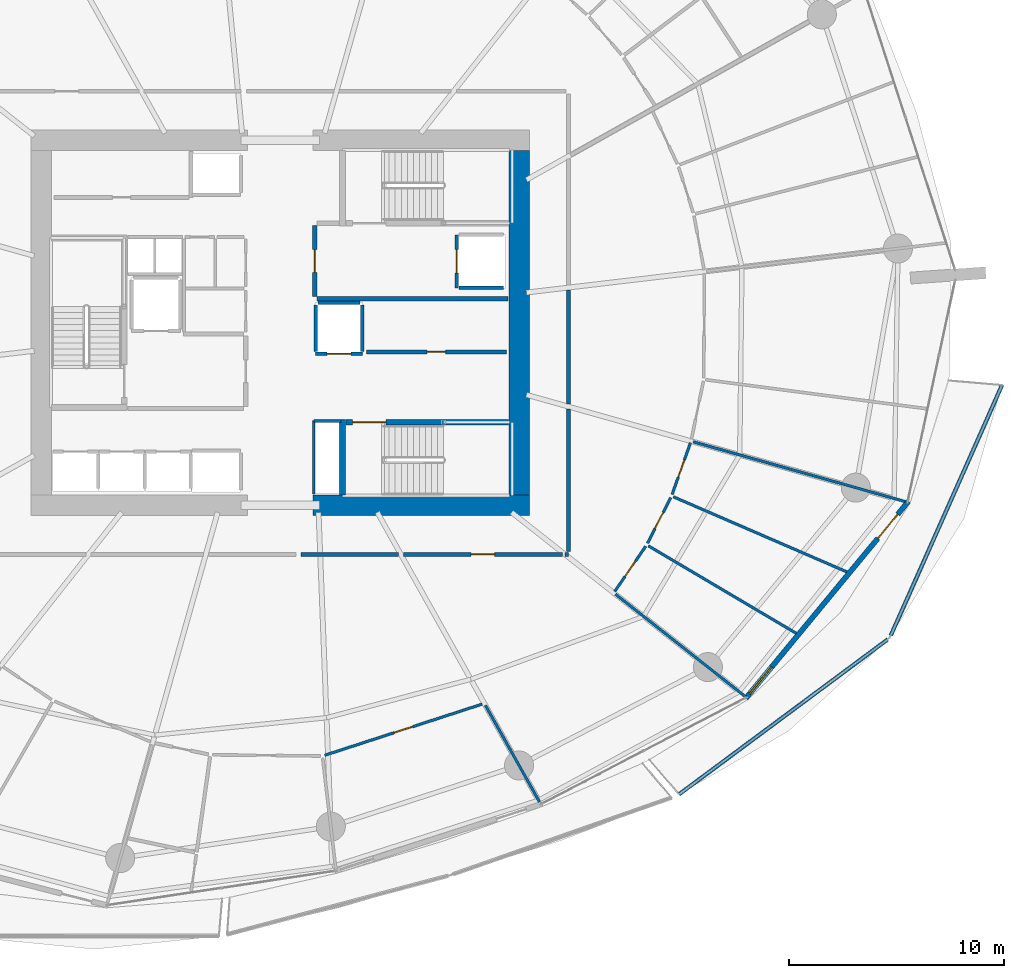
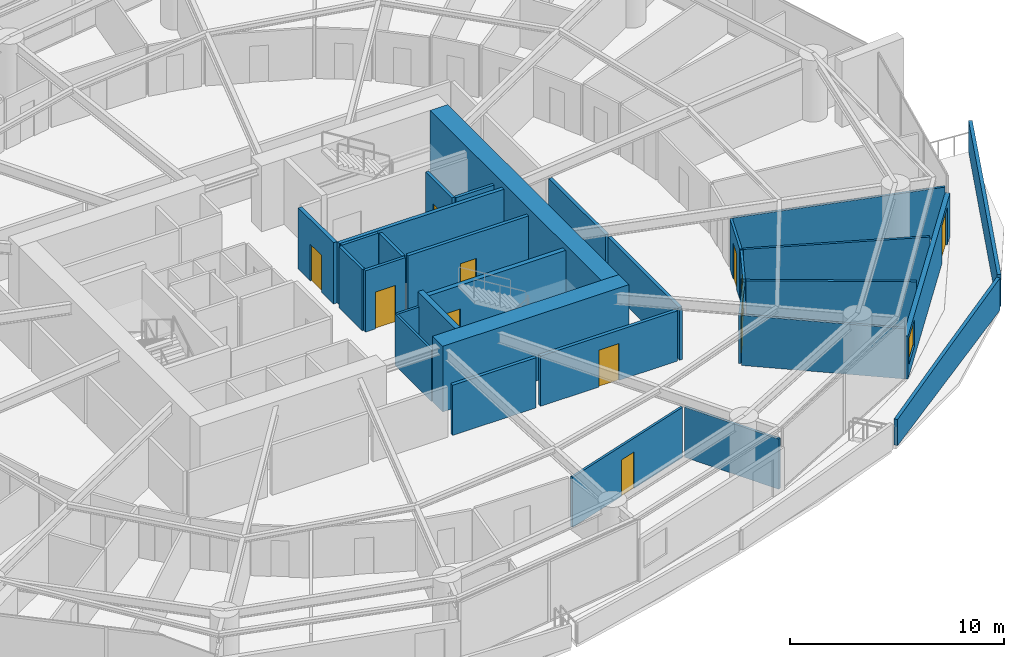
# One storey, part 21 of 31: 32 walls, 11 doors, 1 window, 12 openings.
"""IFC4 building model written with IfcOpenShell, lengths in metres."""

import ifcopenshell
import ifcopenshell.guid

model = None  # the IFC model being written
_history = None  # IfcOwnerHistory: only IFC2X3 demands one
_inside = {}  # id of a spatial element -> (the spatial element, [elements in it])
_under = {}  # id of a project, library or spatial element -> (it, [spatial elements below it])
_declared = {}  # id of a project -> (the project, [libraries it declares])
_typed = {}  # id of a type object -> (the type object, [elements of that type])
_made_of = {}  # id of a material, layer set ... -> (it, [elements and type objects made of it])


def new_model(schema):
    """Start an empty IFC model of exactly this schema.

    Asked for "IFC4X3", IfcOpenShell would pick the latest addendum, in which some entities
    have other attributes; the version numbers below select the first issue.
    IFC2X3 requires an IfcOwnerHistory on every rooted entity: one is made here for all.
    """
    global model, _history
    if schema == "IFC4X3":
        model = ifcopenshell.file(schema_version=(4, 3, 0, 0))
    else:
        model = ifcopenshell.file(schema=schema)
    _inside.clear()
    _under.clear()
    _declared.clear()
    _typed.clear()
    _made_of.clear()
    _history = None
    if model.schema == "IFC2X3":
        org = make("IfcOrganization", Name="unknown")
        user = make(
            "IfcPersonAndOrganization",
            ThePerson=make("IfcPerson", FamilyName="unknown"),
            TheOrganization=org,
        )
        app = make(
            "IfcApplication",
            ApplicationDeveloper=org,
            Version="unknown",
            ApplicationFullName="unknown",
            ApplicationIdentifier="unknown",
        )
        _history = make(
            "IfcOwnerHistory",
            OwningUser=user,
            OwningApplication=app,
            ChangeAction="ADDED",
            CreationDate=0,
        )
    return model


def make(cls, **values):
    """One entity of the class cls with the attributes given. An attribute that is None is left unset."""
    return model.create_entity(
        cls, **{name: value for name, value in values.items() if value is not None}
    )


def rooted(cls, **values):
    """An entity with a GlobalId (a new one), such as an element, a storey or a relation."""
    return make(cls, GlobalId=ifcopenshell.guid.new(), OwnerHistory=_history, **values)


def si_unit(unit_type, name, prefix=None):
    """IfcSIUnit, for example si_unit("LENGTHUNIT", "METRE", prefix="MILLI")."""
    return make("IfcSIUnit", UnitType=unit_type, Prefix=prefix, Name=name)


def assignment(units):
    """IfcUnitAssignment: the units of a project."""
    return None if units is None else make("IfcUnitAssignment", Units=units)


def point(xyz):
    """IfcCartesianPoint."""
    return None if xyz is None else make("IfcCartesianPoint", Coordinates=xyz)


def direction(xyz):
    """IfcDirection."""
    return None if xyz is None else make("IfcDirection", DirectionRatios=xyz)


def frame(location, z_axis=None, x_axis=None):
    """IfcAxis2Placement3D, a coordinate frame: its origin and axes. An axis left out is left unset."""
    return make(
        "IfcAxis2Placement3D",
        Location=point(location),
        Axis=direction(z_axis),
        RefDirection=direction(x_axis),
    )


def frame_2d(location, x_axis=None):
    """IfcAxis2Placement2D, a coordinate frame in the plane: its origin and x axis."""
    return make(
        "IfcAxis2Placement2D", Location=point(location), RefDirection=direction(x_axis)
    )


def origin():
    """The frame at (0, 0, 0) with its axes left unset."""
    return frame((0.0, 0.0, 0.0))


def place(relative_to, where):
    """IfcLocalPlacement: puts the frame where relative to a parent placement (None: the world)."""
    return make(
        "IfcLocalPlacement", PlacementRelTo=relative_to, RelativePlacement=where
    )


def context(
    kind, dimensions, precision=None, world=None, true_north=None, identifier=None
):
    """IfcGeometricRepresentationContext, for example the 3D "Model" context."""
    return make(
        "IfcGeometricRepresentationContext",
        ContextIdentifier=identifier,
        ContextType=kind,
        CoordinateSpaceDimension=dimensions,
        Precision=precision,
        WorldCoordinateSystem=world,
        TrueNorth=true_north,
    )


def subcontext(parent, identifier, kind, view, scale=None):
    """IfcGeometricRepresentationSubContext, for example "Body" below "Model"."""
    return make(
        "IfcGeometricRepresentationSubContext",
        ContextIdentifier=identifier,
        ContextType=kind,
        ParentContext=parent,
        TargetScale=scale,
        TargetView=view,
    )


def project(units=None, contexts=None):
    """IfcProject with its units and contexts."""
    return rooted(
        "IfcProject",
        Name="project",
        RepresentationContexts=contexts,
        UnitsInContext=assignment(units),
    )


def spatial(cls, under=None, at=None, **own):
    """A site, building, storey or space (cls), placed at a placement, below another one or the project."""
    s = rooted(cls, ObjectPlacement=at, **own)
    if under is not None:
        _under.setdefault(under.id(), (under, []))[1].append(s)
    return s


def polyline(points):
    """IfcPolyline through the points."""
    return make("IfcPolyline", Points=[point(p) for p in points])


def profile(cls, at=None, kind="AREA", **sizes):
    """A parametric profile (cls). Its sizes go by their IFC names, for example OverallWidth=200.0."""
    return make(cls, ProfileType=kind, Position=at, **sizes)


def rectangle(**sizes):
    """IfcRectangleProfileDef."""
    return profile("IfcRectangleProfileDef", **sizes)


def outline(outer, holes=None, kind="AREA"):
    """IfcArbitraryClosedProfileDef: a profile drawn as a closed curve; with holes, ...WithVoids."""
    if holes is None:
        return make("IfcArbitraryClosedProfileDef", ProfileType=kind, OuterCurve=outer)
    return make(
        "IfcArbitraryProfileDefWithVoids",
        ProfileType=kind,
        OuterCurve=outer,
        InnerCurves=holes,
    )


def extrude(swept, where, along, depth):
    """IfcExtrudedAreaSolid: the profile swept, set in the frame where, extruded along a direction by depth."""
    return make(
        "IfcExtrudedAreaSolid",
        SweptArea=swept,
        Position=where,
        ExtrudedDirection=direction(along),
        Depth=depth,
    )


def shape(context_of_items, identifier, shape_type, items):
    """IfcShapeRepresentation: the items that make up one representation, for example the "Body"."""
    return make(
        "IfcShapeRepresentation",
        ContextOfItems=context_of_items,
        RepresentationIdentifier=identifier,
        RepresentationType=shape_type,
        Items=items,
    )


def material(Name=None, Category=None):
    """IfcMaterial."""
    return make("IfcMaterial", Name=Name, Category=Category)


def layer(
    of_material, thickness, ventilated=None, Name=None, Category=None, Priority=None
):
    """IfcMaterialLayer: one layer of a wall or slab, of a material (None: an air gap)."""
    return make(
        "IfcMaterialLayer",
        Material=of_material,
        LayerThickness=thickness,
        IsVentilated=ventilated,
        Name=Name,
        Category=Category,
        Priority=Priority,
    )


def layer_set(layers, Name=None):
    """IfcMaterialLayerSet."""
    return make("IfcMaterialLayerSet", MaterialLayers=layers, LayerSetName=Name)


def made_of(thing, what):
    """Note that an element or type object is made of a material, layer set ...; save() writes the relation."""
    if what is not None:
        _made_of.setdefault(what.id(), (what, []))[1].append(thing)
    return thing


def type_object(cls, material=None, **own):
    """A type object (cls), such as IfcWallType, which elements share."""
    return made_of(rooted(cls, **own), material)


def element(
    cls,
    number,
    at=None,
    inside=None,
    cuts=None,
    type_object=None,
    material=None,
    context=None,
    identifier="Body",
    shape_type=None,
    held_by="IfcProductDefinitionShape",
    body=None,
    shapes=None,
    **own,
):
    """One element of the class cls, such as IfcWall. Its Tag is "e" and its number.

    at: its placement. inside: the storey or other place that contains it. cuts: it is an
    opening in that element (IfcRelVoidsElement). A single representation is given by context,
    identifier, shape_type and body (its items); several are given by shapes. held_by: the class
    of the entity that holds the representations. save() writes the other relations.
    """
    e = rooted(cls, Tag="e%d" % number, ObjectPlacement=at, **own)
    if body is not None:
        shapes = [shape(context, identifier, shape_type, body)]
    if shapes is not None:
        e.Representation = make(held_by, Representations=shapes)
    if inside is not None:
        _inside.setdefault(inside.id(), (inside, []))[1].append(e)
    if cuts is not None:
        rooted(
            "IfcRelVoidsElement", RelatingBuildingElement=cuts, RelatedOpeningElement=e
        )
    if type_object is not None:
        _typed.setdefault(type_object.id(), (type_object, []))[1].append(e)
    return made_of(e, material)


def fill(opening, filler):
    """IfcRelFillsElement: the door or window that sits in an opening."""
    return rooted(
        "IfcRelFillsElement",
        RelatingOpeningElement=opening,
        RelatedBuildingElement=filler,
    )


def aggregate(whole, parts):
    """IfcRelAggregates: a whole, such as a stair, and the parts it consists of."""
    return rooted("IfcRelAggregates", RelatingObject=whole, RelatedObjects=parts)


def save(model, path):
    """Write the relations noted so far, then the file.

    IfcRelAggregates (storeys below a building ...), IfcRelContainedInSpatialStructure (elements
    in a storey), IfcRelDefinesByType, IfcRelAssociatesMaterial and IfcRelDeclares: one each for
    every whole, place, type object, material and project.
    """
    for whole, parts in _under.values():
        aggregate(whole, parts)
    for where, things in _inside.values():
        rooted(
            "IfcRelContainedInSpatialStructure",
            RelatedElements=things,
            RelatingStructure=where,
        )
    for kind, things in _typed.values():
        rooted("IfcRelDefinesByType", RelatedObjects=things, RelatingType=kind)
    for what, things in _made_of.values():
        rooted("IfcRelAssociatesMaterial", RelatedObjects=things, RelatingMaterial=what)
    for by, libraries in _declared.values():
        rooted("IfcRelDeclares", RelatingContext=by, RelatedDefinitions=libraries)
    model.write(path)


model = new_model("IFC4")

# Units and contexts
model_context = context("Model", 3, precision=1e-05, world=origin(), true_north=direction((0.0, 1.0)))
body_context = subcontext(model_context, "Body", "Model", "MODEL_VIEW")
ifc_project = project(units=[si_unit("LENGTHUNIT", "METRE"), si_unit("AREAUNIT", "SQUARE_METRE"), si_unit("VOLUMEUNIT", "CUBIC_METRE"), si_unit("PLANEANGLEUNIT", "RADIAN"), si_unit("MASSUNIT", "GRAM", prefix="KILO")], contexts=[model_context])

# Site, building, storey
site_placement = place(None, origin())
site = spatial("IfcSite", under=ifc_project, at=site_placement, CompositionType="ELEMENT")
building_placement = place(site_placement, origin())
building = spatial("IfcBuilding", under=site, at=building_placement, Name="Kazma Halo Residences", CompositionType="ELEMENT")
storey_placement = place(building_placement, frame((0.0, 0.0, 30.14990234375)))
storey = spatial("IfcBuildingStorey", under=building, at=storey_placement, Name="L06", CompositionType="ELEMENT", Elevation=30.14990234375)

# Walls
ifc_material_1 = material(Name="White Concrete C50/60 Balustrade", Category="concrete")
ifc_layer_1 = layer(ifc_material_1, 0.179931640625)
ifc_layer_set_1 = layer_set([ifc_layer_1], Name="White Concrete C50/60 Balustrade")
wall_type_1 = type_object("IfcWallType", Name="WL-BAL-WAVE-180", PredefinedType="PARAPET", material=ifc_layer_set_1)
wall_1_placement = place(storey_placement, frame((66.93310546875, 20.1044921875, 0.0), z_axis=(0.0, 0.0, 1.0), x_axis=(0.802947764501, 0.596049400204, 0.0)))
element("IfcWall", 1, at=wall_1_placement, inside=storey, type_object=wall_type_1, Name="L06 white wave balustrade wall SE.1", PredefinedType="PARAPET", context=body_context, shape_type="SweptSolid", body=[
    extrude(outline(polyline([(0.0, 0.0), (12.0654296875, 0.0), (12.065673828125, 1.83203125), (6.03271484375, 1.696044921875), (0.0, 1.4970703125), (0.0, 0.0)])), frame((0.0, 0.08984375, 0.0), z_axis=(0.0, -1.0, 0.0), x_axis=(1.0, 0.0, 0.0)), (0.0, 0.0, 1.0), 0.179931640625),
])
wall_2_placement = place(storey_placement, frame((76.76611328125, 27.477294921875, 0.0), z_axis=(0.0, 0.0, 1.0), x_axis=(0.405953542593, 0.91389371442, 0.0)))
element("IfcWall", 2, at=wall_2_placement, inside=storey, type_object=wall_type_1, Name="L06 white wave balustrade wall SE.2", PredefinedType="PARAPET", context=body_context, shape_type="SweptSolid", body=[
    extrude(outline(polyline([(0.0, 0.0), (12.739990234375, 0.0), (12.739990234375, 1.756103515625), (6.3701171875, 1.85302734375), (0.0, 1.83203125), (0.0, 0.0)])), frame((0.0, 0.08984375, 0.0), z_axis=(0.0, -1.0, 0.0), x_axis=(1.0, 0.0, 0.0)), (0.0, 0.0, 1.0), 0.179931640625),
])
ifc_material_2 = material(Name="Concrete C80/95", Category="concrete")
ifc_layer_2 = layer(ifc_material_2, 0.949951171875)
ifc_layer_set_2 = layer_set([ifc_layer_2], Name="Concrete C80/95")
wall_type_2 = type_object("IfcWallType", Name="WL-CORE-950", PredefinedType="SHEAR", material=ifc_layer_set_2)
wall_3_placement = place(storey_placement, frame((49.949951171875, 33.52490234375, 0.0), z_axis=(0.0, 0.0, 1.0), x_axis=(1.0, 0.0, 0.0)))
element("IfcWall", 3, at=wall_3_placement, inside=storey, type_object=wall_type_2, Name="L06 central core shear wall SE", PredefinedType="SHEAR", context=body_context, shape_type="SweptSolid", body=[
    extrude(rectangle(XDim=10.050048828125, YDim=0.949951171875, at=frame_2d((5.02490234375, 0.0))), origin(), (0.0, 0.0, 1.0), 3.75),
])
wall_4_placement = place(storey_placement, frame((59.52490234375, 34.0, 0.0), z_axis=(0.0, 0.0, 1.0), x_axis=(0.0, 1.0, 0.0)))
element("IfcWall", 4, at=wall_4_placement, inside=storey, type_object=wall_type_2, Name="L06 central core shear wall E", PredefinedType="SHEAR", context=body_context, shape_type="SweptSolid", body=[
    extrude(rectangle(XDim=16.0, YDim=0.949951171875, at=frame_2d((8.0, 0.0))), origin(), (0.0, 0.0, 1.0), 3.75),
])
ifc_material_3 = material(Name="Concrete C60/75", Category="concrete")
ifc_layer_3 = layer(ifc_material_3, 0.280029296875)
ifc_layer_set_3 = layer_set([ifc_layer_3], Name="Concrete C60/75")
wall_type_3 = type_object("IfcWallType", Name="WL-CORE-ST-280", PredefinedType="SHEAR", material=ifc_layer_set_3)
wall_5_placement = place(storey_placement, frame((51.31005859375, 34.0, 0.0), z_axis=(0.0, 0.0, 1.0), x_axis=(0.0, 1.0, 0.0)))
element("IfcWall", 5, at=wall_5_placement, inside=storey, type_object=wall_type_3, Name="L06 stairwell bearing wall ST03-W", PredefinedType="SHEAR", context=body_context, shape_type="SweptSolid", body=[
    extrude(rectangle(XDim=3.5, YDim=0.280029296875, at=frame_2d((1.75, 0.0))), origin(), (0.0, 0.0, 1.0), 3.75),
])

# Wall, opening, door
ifc_material_4 = material(Name="Acoustic Twin-Stud Gypsum")
ifc_layer_4 = layer(ifc_material_4, 0.179931640625)
ifc_layer_set_4 = layer_set([ifc_layer_4], Name="Acoustic Twin-Stud Gypsum")
wall_type_4 = type_object("IfcWallType", Name="WL-DEM-180", PredefinedType="PARTITIONING", material=ifc_layer_set_4)
wall_6_placement = place(storey_placement, frame((54.140380859375, 31.25, 0.0), z_axis=(0.0, 0.0, 1.0), x_axis=(1.0, 0.0, 0.0)))
wall_6 = element("IfcWall", 6, at=wall_6_placement, inside=storey, type_object=wall_type_4, Name="L06 Apartment 2 entrance corridor wall", PredefinedType="PARTITIONING", context=body_context, shape_type="SweptSolid", body=[
    extrude(rectangle(XDim=7.3759765625, YDim=0.179931640625, at=frame_2d((3.68798828125, 0.0))), origin(), (0.0, 0.0, 1.0), 2.8671875),
])
opening_1_placement = place(wall_6_placement, frame((3.137939453125, 0.0, 0.0)))
opening_1 = element("IfcOpeningElement", 7, at=opening_1_placement, cuts=wall_6, Name="Opening DA-1100", PredefinedType="OPENING", context=body_context, shape_type="SweptSolid", body=[
    extrude(rectangle(XDim=1.10009765625, YDim=2.10009765625, at=frame_2d((0.550048828125, 1.050048828125))), frame((0.0, 0.099853515625, 0.0), z_axis=(0.0, -1.0, 0.0), x_axis=(1.0, 0.0, 0.0)), (0.0, 0.0, 1.0), 0.199951171875),
])
ifc_material_5 = material(Name="Acoustic Walnut Fire Leaf")
door_type_1 = type_object("IfcDoorType", Name="DR-FD60-1100", OperationType="NOTDEFINED", PredefinedType="DOOR", material=ifc_material_5)
door_1_placement = place(opening_1_placement, origin())
door_1 = element("IfcDoor", 8, at=door_1_placement, inside=storey, type_object=door_type_1, Name="L06 Apartment 2 entrance fire door", OperationType="SINGLE_SWING_LEFT", OverallHeight=2.10009765625, OverallWidth=1.10009765625, PredefinedType="DOOR", context=body_context, shape_type="SweptSolid", body=[
    extrude(rectangle(XDim=1.10009765625, YDim=2.10009765625, at=frame_2d((0.550048828125, 1.050048828125))), frame((0.0, 0.02490234375, 0.0), z_axis=(0.0, -1.0, 0.0), x_axis=(1.0, 0.0, 0.0)), (0.0, 0.0, 1.0), 0.050048828125),
])
fill(opening_1, door_1)

# Walls
wall_7_placement = place(storey_placement, frame((49.392333984375, 31.25, 0.0), z_axis=(0.0, 0.0, 1.0), x_axis=(1.0, 0.0, 0.0)))
element("IfcWall", 9, at=wall_7_placement, inside=storey, type_object=wall_type_4, Name="L06 Apartment 2 inner wall 11", PredefinedType="PARTITIONING", context=body_context, shape_type="SweptSolid", body=[
    extrude(rectangle(XDim=4.508056640625, YDim=0.179931640625, at=frame_2d((2.25390625, 0.0))), origin(), (0.0, 0.0, 1.0), 2.8671875),
])
wall_8_placement = place(storey_placement, frame((61.63623046875, 31.25, 0.0), z_axis=(0.0, 0.0, 1.0), x_axis=(1.0, 0.0, 0.0)))
element("IfcWall", 10, at=wall_8_placement, inside=storey, type_object=wall_type_4, Name="L06 Apartment 2 inner wall 13", PredefinedType="PARTITIONING", context=body_context, shape_type="SweptSolid", body=[
    extrude(rectangle(XDim=0.163818359375, YDim=0.179931640625, at=frame_2d((0.08203125, 0.0))), origin(), (0.0, 0.0, 1.0), 2.8671875),
])
wall_9_placement = place(storey_placement, frame((61.800048828125, 31.3701171875, 0.0), z_axis=(0.0, 0.0, 1.0), x_axis=(0.0, 1.0, 0.0)))
element("IfcWall", 11, at=wall_9_placement, inside=storey, type_object=wall_type_4, Name="L06 Apartment 2 inner wall 13", PredefinedType="PARTITIONING", context=body_context, shape_type="SweptSolid", body=[
    extrude(rectangle(XDim=6.617919921875, YDim=0.179931640625, at=frame_2d((3.30908203125, 0.0))), origin(), (0.0, 0.0, 1.0), 2.8671875),
])
wall_10_placement = place(storey_placement, frame((61.800048828125, 38.22802734375, 0.0), z_axis=(0.0, 0.0, 1.0), x_axis=(0.0, 1.0, 0.0)))
element("IfcWall", 12, at=wall_10_placement, inside=storey, type_object=wall_type_4, Name="L06 Apartment 2 inner wall 14", PredefinedType="PARTITIONING", context=body_context, shape_type="SweptSolid", body=[
    extrude(rectangle(XDim=5.28515625, YDim=0.179931640625, at=frame_2d((2.642578125, 0.0))), origin(), (0.0, 0.0, 1.0), 2.8671875),
])

# Wall, openings, door, window
ifc_material_6 = material(Name="Insulated Pale-Metal Composite Wall")
ifc_layer_5 = layer(ifc_material_6, 0.239990234375)
ifc_layer_set_5 = layer_set([ifc_layer_5], Name="Insulated Pale-Metal Composite Wall")
wall_type_5 = type_object("IfcWallType", Name="WL-EXT-HOST-240", PredefinedType="SOLIDWALL", material=ifc_layer_set_5)
wall_11_placement = place(storey_placement, frame((70.033203125, 24.566650390625, 0.0), z_axis=(0.0, 0.0, 1.0), x_axis=(0.636674332663, 0.771132799281, 0.0)))
wall_11 = element("IfcWall", 13, at=wall_11_placement, inside=storey, type_object=wall_type_5, Name="L06 exterior terrace-access wall B14", PredefinedType="SOLIDWALL", context=body_context, shape_type="SweptSolid", body=[
    extrude(rectangle(XDim=11.851318359375, YDim=0.239990234375, at=frame_2d((5.92578125, 0.0))), origin(), (0.0, 0.0, 1.0), 2.4501953125),
])
opening_2_placement = place(wall_11_placement, frame((9.631103515625, 0.0, 0.0)))
opening_2 = element("IfcOpeningElement", 14, at=opening_2_placement, cuts=wall_11, Name="Opening DTR-1600", PredefinedType="OPENING", context=body_context, shape_type="SweptSolid", body=[
    extrude(rectangle(XDim=1.449951171875, YDim=2.14990234375, at=frame_2d((0.72509765625, 1.074951171875))), frame((0.0, 0.1298828125, 0.0), z_axis=(0.0, -1.0, 0.0), x_axis=(1.0, 0.0, 0.0)), (0.0, 0.0, 1.0), 0.260009765625),
])
opening_3_placement = place(wall_11_placement, frame((0.280029296875, 0.0, 0.64990234375)))
opening_3 = element("IfcOpeningElement", 15, at=opening_3_placement, cuts=wall_11, Name="Opening W-1800", PredefinedType="OPENING", context=body_context, shape_type="SweptSolid", body=[
    extrude(rectangle(XDim=1.60009765625, YDim=1.5, at=frame_2d((0.800048828125, 0.75))), frame((0.0, 0.1298828125, 0.0), z_axis=(0.0, -1.0, 0.0), x_axis=(1.0, 0.0, 0.0)), (0.0, 0.0, 1.0), 0.260009765625),
])
ifc_material_7 = material(Name="Aluminium AW-6063 T6 Double-Glazed Terrace Door", Category="aluminium")
door_type_2 = type_object("IfcDoorType", Name="DR-EXT-TERR-1600", OperationType="NOTDEFINED", PredefinedType="DOOR", material=ifc_material_7)
door_2_placement = place(opening_2_placement, origin())
door_2 = element("IfcDoor", 16, at=door_2_placement, inside=storey, type_object=door_type_2, Name="L06 B14 balcony terrace door", OperationType="DOUBLE_DOOR_SLIDING", OverallHeight=2.14990234375, OverallWidth=1.449951171875, PredefinedType="DOOR", context=body_context, shape_type="SweptSolid", body=[
    extrude(rectangle(XDim=1.449951171875, YDim=2.14990234375, at=frame_2d((0.72509765625, 1.074951171875))), frame((0.0, 0.02490234375, 0.0), z_axis=(0.0, -1.0, 0.0), x_axis=(1.0, 0.0, 0.0)), (0.0, 0.0, 1.0), 0.050048828125),
])
fill(opening_2, door_2)
ifc_material_8 = material(Name="Clear Triple-Silver Low-E Glass in Aluminium AW-6063 T6 Frame", Category="aluminium")
window_type = type_object("IfcWindowType", Name="WIN-RES-1800", PartitioningType="DOUBLE_PANEL_VERTICAL", PredefinedType="WINDOW", material=ifc_material_8)
window_placement = place(opening_3_placement, origin())
window = element("IfcWindow", 17, at=window_placement, inside=storey, type_object=window_type, Name="L06 B14 apartment window", OverallHeight=1.5, OverallWidth=1.60009765625, PartitioningType="SINGLE_PANEL", PredefinedType="WINDOW", context=body_context, shape_type="SweptSolid", body=[
    extrude(rectangle(XDim=1.60009765625, YDim=1.5, at=frame_2d((0.800048828125, 0.75))), frame((0.0, 0.030029296875, 0.0), z_axis=(0.0, -1.0, 0.0), x_axis=(1.0, 0.0, 0.0)), (0.0, 0.0, 1.0), 0.06005859375),
])
fill(opening_3, window)

# Wall, opening, door
ifc_material_9 = material(Name="Fire-Rated Blockwork Masonry", Category="masonry")
ifc_layer_6 = layer(ifc_material_9, 0.199951171875)
ifc_layer_set_6 = layer_set([ifc_layer_6], Name="Fire-Rated Blockwork Masonry")
wall_type_6 = type_object("IfcWallType", Name="WL-FLB-200", PredefinedType="PARTITIONING", material=ifc_layer_set_6)
wall_12_placement = place(storey_placement, frame((56.6201171875, 46.080078125, 0.0), z_axis=(0.0, 0.0, 1.0), x_axis=(0.0, -1.0, 0.0)))
wall_12 = element("IfcWall", 18, at=wall_12_placement, inside=storey, type_object=wall_type_6, Name="L06 lift shaft FL-02 front wall", PredefinedType="PARTITIONING", context=body_context, shape_type="SweptSolid", body=[
    extrude(rectangle(XDim=2.4599609375, YDim=0.159912109375, at=frame_2d((1.22998046875, 0.0))), origin(), (0.0, 0.0, 1.0), 3.5),
])
opening_4_placement = place(wall_12_placement, frame((0.679931640625, 0.0, 0.0)))
opening_4 = element("IfcOpeningElement", 19, at=opening_4_placement, cuts=wall_12, Name="Opening LD-FL-02", PredefinedType="OPENING", context=body_context, shape_type="SweptSolid", body=[
    extrude(rectangle(XDim=1.10009765625, YDim=2.10009765625, at=frame_2d((0.550048828125, 1.050048828125))), frame((0.0, 0.08984375, 0.0), z_axis=(0.0, -1.0, 0.0), x_axis=(1.0, 0.0, 0.0)), (0.0, 0.0, 1.0), 0.179931640625),
])
ifc_material_10 = material(Name="Stainless Steel Fire-Rated", Category="steel")
door_type_3 = type_object("IfcDoorType", Name="DR-LIFT-SLD-1100", OperationType="DOUBLE_DOOR_SLIDING", PredefinedType="DOOR", material=ifc_material_10)
door_3_placement = place(opening_4_placement, origin())
door_3 = element("IfcDoor", 20, at=door_3_placement, inside=storey, type_object=door_type_3, Name="L06 lift FL-02 sliding landing door", OperationType="DOUBLE_DOOR_SLIDING", OverallHeight=2.10009765625, OverallWidth=1.10009765625, PredefinedType="DOOR", context=body_context, shape_type="SweptSolid", body=[
    extrude(rectangle(XDim=1.10009765625, YDim=2.10009765625, at=frame_2d((0.550048828125, 1.050048828125))), frame((0.0, 0.02490234375, 0.0), z_axis=(0.0, -1.0, 0.0), x_axis=(1.0, 0.0, 0.0)), (0.0, 0.0, 1.0), 0.050048828125),
])
fill(opening_4, door_3)

# Wall
wall_13_placement = place(storey_placement, frame((56.719970703125, 43.6201171875, 0.0), z_axis=(0.0, 0.0, 1.0), x_axis=(1.0, 0.0, 0.0)))
element("IfcWall", 21, at=wall_13_placement, inside=storey, type_object=wall_type_6, Name="L06 lift shaft FL-02 side wall S", PredefinedType="PARTITIONING", context=body_context, shape_type="SweptSolid", body=[
    extrude(rectangle(XDim=2.06005859375, YDim=0.159912109375, at=frame_2d((1.030029296875, 0.0))), origin(), (0.0, 0.0, 1.0), 3.5),
])

# Wall, opening, door
wall_14_placement = place(storey_placement, frame((52.22998046875, 40.570068359375, 0.0), z_axis=(0.0, 0.0, 1.0), x_axis=(-1.0, 0.0, 0.0)))
wall_14 = element("IfcWall", 22, at=wall_14_placement, inside=storey, type_object=wall_type_6, Name="L06 lift shaft SV-01 front wall", PredefinedType="PARTITIONING", context=body_context, shape_type="SweptSolid", body=[
    extrude(rectangle(XDim=2.159912109375, YDim=0.159912109375, at=frame_2d((1.080078125, 0.0))), origin(), (0.0, 0.0, 1.0), 3.5),
])
opening_5_placement = place(wall_14_placement, frame((0.530029296875, 0.0, 0.0)))
opening_5 = element("IfcOpeningElement", 23, at=opening_5_placement, cuts=wall_14, Name="Opening LD-SV-01", PredefinedType="OPENING", context=body_context, shape_type="SweptSolid", body=[
    extrude(rectangle(XDim=1.10009765625, YDim=2.10009765625, at=frame_2d((0.550048828125, 1.050048828125))), frame((0.0, 0.08984375, 0.0), z_axis=(0.0, -1.0, 0.0), x_axis=(1.0, 0.0, 0.0)), (0.0, 0.0, 1.0), 0.179931640625),
])
door_4_placement = place(opening_5_placement, origin())
door_4 = element("IfcDoor", 24, at=door_4_placement, inside=storey, type_object=door_type_3, Name="L06 lift SV-01 sliding landing door", OperationType="DOUBLE_DOOR_SLIDING", OverallHeight=2.10009765625, OverallWidth=1.10009765625, PredefinedType="DOOR", context=body_context, shape_type="SweptSolid", body=[
    extrude(rectangle(XDim=1.10009765625, YDim=2.10009765625, at=frame_2d((0.550048828125, 1.050048828125))), frame((0.0, 0.02490234375, 0.0), z_axis=(0.0, -1.0, 0.0), x_axis=(1.0, 0.0, 0.0)), (0.0, 0.0, 1.0), 0.050048828125),
])
fill(opening_5, door_4)

# Walls
for number, where, z_axis, x_axis, name in (
    (25, (52.22998046875, 40.669921875, 0.0), (0.0, 0.0, 1.0), (0.0, 1.0, 0.0), "L06 lift shaft SV-01 side wall E"),
    (26, (50.070068359375, 40.669921875, 0.0), (0.0, 0.0, 1.0), (0.0, 1.0, 0.0), "L06 lift shaft SV-01 side wall W"),
):
    element("IfcWall", number, at=place(storey_placement, frame(where, z_axis=z_axis, x_axis=x_axis)), inside=storey, type_object=wall_type_6, Name=name, PredefinedType="PARTITIONING", context=body_context, shape_type="SweptSolid", body=[
        extrude(rectangle(XDim=2.16015625, YDim=0.159912109375, at=frame_2d((1.080078125, 0.0))), origin(), (0.0, 0.0, 1.0), 3.5),
    ])
wall_15_placement = place(storey_placement, frame((50.169921875, 42.929931640625, 0.0), z_axis=(0.0, 0.0, 1.0), x_axis=(1.0, 0.0, 0.0)))
element("IfcWall", 27, at=wall_15_placement, inside=storey, type_object=wall_type_6, Name="L06 lift shaft SV-01 side wall N", PredefinedType="PARTITIONING", context=body_context, shape_type="SweptSolid", body=[
    extrude(rectangle(XDim=1.9599609375, YDim=0.159912109375, at=frame_2d((0.97998046875, 0.0))), origin(), (0.0, 0.0, 1.0), 3.5),
])

# Wall, opening, door
wall_16_placement = place(storey_placement, frame((52.419921875, 40.64990234375, 0.0), z_axis=(0.0, 0.0, 1.0), x_axis=(1.0, 0.0, 0.0)))
wall_16 = element("IfcWall", 28, at=wall_16_placement, inside=storey, type_object=wall_type_6, Name="L06 core east reserve wall", PredefinedType="PARTITIONING", context=body_context, shape_type="SweptSolid", body=[
    extrude(rectangle(XDim=6.5, YDim=0.179931640625, at=frame_2d((3.25, 0.0))), origin(), (0.0, 0.0, 1.0), 3.5),
])
opening_6_placement = place(wall_16_placement, frame((2.824951171875, 0.0, 0.0)))
opening_6 = element("IfcOpeningElement", 29, at=opening_6_placement, cuts=wall_16, Name="Opening DS-850", PredefinedType="OPENING", context=body_context, shape_type="SweptSolid", body=[
    extrude(rectangle(XDim=0.85009765625, YDim=2.06005859375, at=frame_2d((0.425048828125, 1.030029296875))), frame((0.0, 0.099853515625, 0.0), z_axis=(0.0, -1.0, 0.0), x_axis=(1.0, 0.0, 0.0)), (0.0, 0.0, 1.0), 0.199951171875),
])
ifc_material_11 = material(Name="Painted Steel Access Leaf", Category="steel")
door_type_4 = type_object("IfcDoorType", Name="DR-SVC-850", OperationType="NOTDEFINED", PredefinedType="DOOR", material=ifc_material_11)
door_5_placement = place(opening_6_placement, origin())
door_5 = element("IfcDoor", 30, at=door_5_placement, inside=storey, type_object=door_type_4, Name="L06 core east reserve door", OperationType="SINGLE_SWING_LEFT", OverallHeight=2.06005859375, OverallWidth=0.85009765625, PredefinedType="DOOR", context=body_context, shape_type="SweptSolid", body=[
    extrude(rectangle(XDim=0.85009765625, YDim=2.06005859375, at=frame_2d((0.425048828125, 1.030029296875))), frame((0.0, 0.02490234375, 0.0), z_axis=(0.0, -1.0, 0.0), x_axis=(1.0, 0.0, 0.0)), (0.0, 0.0, 1.0), 0.050048828125),
])
fill(opening_6, door_5)

# Wall
wall_17_placement = place(storey_placement, frame((50.1201171875, 43.1201171875, 0.0), z_axis=(0.0, 0.0, 1.0), x_axis=(1.0, 0.0, 0.0)))
element("IfcWall", 31, at=wall_17_placement, inside=storey, type_object=wall_type_6, Name="L06 east firefighting lobby south smoke wall", PredefinedType="PARTITIONING", context=body_context, shape_type="SweptSolid", body=[
    extrude(rectangle(XDim=8.8798828125, YDim=0.199951171875, at=frame_2d((4.43994140625, 0.0))), origin(), (0.0, 0.0, 1.0), 3.5),
])

# Wall, opening, door
wall_18_placement = place(storey_placement, frame((50.02001953125, 43.219970703125, 0.0), z_axis=(0.0, 0.0, 1.0), x_axis=(0.0, 1.0, 0.0)))
wall_18 = element("IfcWall", 32, at=wall_18_placement, inside=storey, type_object=wall_type_6, Name="L06 east firefighting lobby smoke wall", PredefinedType="PARTITIONING", context=body_context, shape_type="SweptSolid", body=[
    extrude(rectangle(XDim=3.300048828125, YDim=0.199951171875, at=frame_2d((1.64990234375, 0.0))), origin(), (0.0, 0.0, 1.0), 3.5),
])
opening_7_placement = place(wall_18_placement, frame((1.125, 0.0, 0.0)))
opening_7 = element("IfcOpeningElement", 33, at=opening_7_placement, cuts=wall_18, Name="Opening D-FLE", PredefinedType="OPENING", context=body_context, shape_type="SweptSolid", body=[
    extrude(rectangle(XDim=1.050048828125, YDim=2.10009765625, at=frame_2d((0.52490234375, 1.050048828125))), frame((0.0, 0.10986328125, 0.0), z_axis=(0.0, -1.0, 0.0), x_axis=(1.0, 0.0, 0.0)), (0.0, 0.0, 1.0), 0.219970703125),
])
ifc_material_12 = material(Name="Fire-Rated Steel Leaf", Category="steel")
door_type_5 = type_object("IfcDoorType", Name="DR-FD90-1050", OperationType="NOTDEFINED", PredefinedType="DOOR", material=ifc_material_12)
door_6_placement = place(opening_7_placement, origin())
door_6 = element("IfcDoor", 34, at=door_6_placement, inside=storey, type_object=door_type_5, Name="L06 east firefighting lobby smoke door", OperationType="SINGLE_SWING_RIGHT", OverallHeight=2.10009765625, OverallWidth=1.050048828125, PredefinedType="DOOR", context=body_context, shape_type="SweptSolid", body=[
    extrude(rectangle(XDim=1.050048828125, YDim=2.10009765625, at=frame_2d((0.52490234375, 1.050048828125))), frame((0.0, 0.02490234375, 0.0), z_axis=(0.0, -1.0, 0.0), x_axis=(1.0, 0.0, 0.0)), (0.0, 0.0, 1.0), 0.050048828125),
])
fill(opening_7, door_6)

# Walls
ifc_material_13 = material(Name="Gypsum Plasterboard Partition")
ifc_layer_7 = layer(ifc_material_13, 0.125)
ifc_layer_set_7 = layer_set([ifc_layer_7], Name="Gypsum Plasterboard Partition")
wall_type_7 = type_object("IfcWallType", Name="WL-PART-125", PredefinedType="PARTITIONING", material=ifc_layer_set_7)
wall_19_placement = place(storey_placement, frame((49.97998046875, 34.06005859375, 0.0), z_axis=(0.0, 0.0, 1.0), x_axis=(0.0, 1.0, 0.0)))
element("IfcWall", 35, at=wall_19_placement, inside=storey, type_object=wall_type_7, Name="L06 standpipe riser wall", PredefinedType="PARTITIONING", context=body_context, shape_type="SweptSolid", body=[
    extrude(rectangle(XDim=3.39990234375, YDim=0.125, at=frame_2d((1.699951171875, 0.0))), origin(), (0.0, 0.0, 1.0), 2.940185546875),
])
wall_20_placement = place(storey_placement, frame((49.97998046875, 37.43994140625, 0.0), z_axis=(0.0, 0.0, 1.0), x_axis=(1.0, 0.0, 0.0)))
element("IfcWall", 36, at=wall_20_placement, inside=storey, type_object=wall_type_7, Name="L06 standpipe riser north wall", PredefinedType="PARTITIONING", context=body_context, shape_type="SweptSolid", body=[
    extrude(rectangle(XDim=1.260009765625, YDim=0.125, at=frame_2d((0.6298828125, 0.0))), origin(), (0.0, 0.0, 1.0), 2.940185546875),
])
wall_21_placement = place(storey_placement, frame((57.94482421875, 24.2421875, 0.0), z_axis=(0.0, 0.0, 1.0), x_axis=(0.488630834306, -0.872490634772, 0.0)))
element("IfcWall", 37, at=wall_21_placement, inside=storey, type_object=wall_type_7, Name="L06 Apartment 2 living radial partition 11", PredefinedType="PARTITIONING", context=body_context, shape_type="SweptSolid", body=[
    extrude(rectangle(XDim=5.142822265625, YDim=0.125, at=frame_2d((2.5712890625, 0.0))), origin(), (0.0, 0.0, 1.0), 2.8671875),
])

# Wall, opening, door
wall_22_placement = place(storey_placement, frame((50.485107421875, 21.92138671875, 0.0), z_axis=(0.0, 0.0, 1.0), x_axis=(0.951055318468, 0.309020680883, 0.0)))
wall_22 = element("IfcWall", 38, at=wall_22_placement, inside=storey, type_object=wall_type_7, Name="L06 Apartment 2 Outer Formal Dining Room gallery wall", PredefinedType="PARTITIONING", context=body_context, shape_type="SweptSolid", body=[
    extrude(rectangle(XDim=7.682373046875, YDim=0.125, at=frame_2d((3.84130859375, 0.0))), origin(), (0.0, 0.0, 1.0), 2.8671875),
])
opening_8_placement = place(wall_22_placement, frame((3.39111328125, 0.0, 0.0)))
opening_8 = element("IfcOpeningElement", 39, at=opening_8_placement, cuts=wall_22, Name="Opening DI-950", PredefinedType="OPENING", context=body_context, shape_type="SweptSolid", body=[
    extrude(rectangle(XDim=0.89990234375, YDim=2.080078125, at=frame_2d((0.449951171875, 1.0400390625))), frame((0.0, 0.072509765625, 0.0), z_axis=(0.0, -1.0, 0.0), x_axis=(1.0, 0.0, 0.0)), (0.0, 0.0, 1.0), 0.14501953125),
])
ifc_material_14 = material(Name="Timber Veneer Flush Leaf", Category="wood")
door_type_6 = type_object("IfcDoorType", Name="DR-INT-950", OperationType="NOTDEFINED", PredefinedType="DOOR", material=ifc_material_14)
door_7_placement = place(opening_8_placement, origin())
door_7 = element("IfcDoor", 40, at=door_7_placement, inside=storey, type_object=door_type_6, Name="L06 Apartment 2 Outer Formal Dining Room door", OperationType="SINGLE_SWING_RIGHT", OverallHeight=2.080078125, OverallWidth=0.89990234375, PredefinedType="DOOR", context=body_context, shape_type="SweptSolid", body=[
    extrude(rectangle(XDim=0.89990234375, YDim=2.080078125, at=frame_2d((0.449951171875, 1.0400390625))), frame((0.0, 0.02490234375, 0.0), z_axis=(0.0, -1.0, 0.0), x_axis=(1.0, 0.0, 0.0)), (0.0, 0.0, 1.0), 0.050048828125),
])
fill(opening_8, door_7)

# Walls
wall_23_placement = place(storey_placement, frame((63.9833984375, 29.399658203125, 0.0), z_axis=(0.0, 0.0, 1.0), x_axis=(0.785322984339, -0.619086270457, 0.0)))
element("IfcWall", 41, at=wall_23_placement, inside=storey, type_object=wall_type_7, Name="L06 Apartment 2 radial partition 13", PredefinedType="PARTITIONING", context=body_context, shape_type="SweptSolid", body=[
    extrude(rectangle(XDim=7.71923828125, YDim=0.125, at=frame_2d((3.859619140625, 0.0))), origin(), (0.0, 0.0, 1.0), 2.8671875),
])
wall_24_placement = place(storey_placement, frame((65.510009765625, 31.64453125, 0.0), z_axis=(0.0, 0.0, 1.0), x_axis=(0.86074163886, -0.509042072065, 0.0)))
element("IfcWall", 42, at=wall_24_placement, inside=storey, type_object=wall_type_7, Name="L06 Apartment 2 bay wall 1 13", PredefinedType="PARTITIONING", context=body_context, shape_type="SweptSolid", body=[
    extrude(rectangle(XDim=7.9677734375, YDim=0.125, at=frame_2d((3.98388671875, 0.0))), origin(), (0.0, 0.0, 1.0), 2.940185546875),
])
wall_25_placement = place(storey_placement, frame((66.669921875, 33.9208984375, 0.0), z_axis=(0.0, 0.0, 1.0), x_axis=(0.917747697885, -0.397163899451, 0.0)))
element("IfcWall", 43, at=wall_25_placement, inside=storey, type_object=wall_type_7, Name="L06 Apartment 2 bay wall 2 13", PredefinedType="PARTITIONING", context=body_context, shape_type="SweptSolid", body=[
    extrude(rectangle(XDim=8.77490234375, YDim=0.125, at=frame_2d((4.387451171875, 0.0))), origin(), (0.0, 0.0, 1.0), 2.940185546875),
])

# Wall, opening, door
wall_26_placement = place(storey_placement, frame((63.9501953125, 29.527587890625, 0.0), z_axis=(0.0, 0.0, 1.0), x_axis=(0.565358509176, 0.824845292223, 0.0)))
wall_26 = element("IfcWall", 44, at=wall_26_placement, inside=storey, type_object=wall_type_7, Name="L06 Apartment 2 Corner Bedroom hall wall", PredefinedType="PARTITIONING", context=body_context, shape_type="SweptSolid", body=[
    extrude(rectangle(XDim=2.542236328125, YDim=0.125, at=frame_2d((1.27099609375, 0.0))), origin(), (0.0, 0.0, 1.0), 2.8671875),
])
opening_9_placement = place(wall_26_placement, frame((0.84619140625, 0.0, 0.0)))
opening_9 = element("IfcOpeningElement", 45, at=opening_9_placement, cuts=wall_26, Name="Opening DB-900", PredefinedType="OPENING", context=body_context, shape_type="SweptSolid", body=[
    extrude(rectangle(XDim=0.85009765625, YDim=2.06005859375, at=frame_2d((0.425048828125, 1.030029296875))), frame((0.0, 0.072509765625, 0.0), z_axis=(0.0, -1.0, 0.0), x_axis=(1.0, 0.0, 0.0)), (0.0, 0.0, 1.0), 0.14501953125),
])
ifc_material_15 = material(Name="Moisture-Sealed Timber Leaf", Category="wood")
door_type_7 = type_object("IfcDoorType", Name="DR-BTH-900", OperationType="NOTDEFINED", PredefinedType="DOOR", material=ifc_material_15)
door_8_placement = place(opening_9_placement, origin())
door_8 = element("IfcDoor", 46, at=door_8_placement, inside=storey, type_object=door_type_7, Name="L06 Apartment 2 Corner Bedroom door", OperationType="SINGLE_SWING_LEFT", OverallHeight=2.06005859375, OverallWidth=0.85009765625, PredefinedType="DOOR", context=body_context, shape_type="SweptSolid", body=[
    extrude(rectangle(XDim=0.85009765625, YDim=2.06005859375, at=frame_2d((0.425048828125, 1.030029296875))), frame((0.0, 0.02490234375, 0.0), z_axis=(0.0, -1.0, 0.0), x_axis=(1.0, 0.0, 0.0)), (0.0, 0.0, 1.0), 0.050048828125),
])
fill(opening_9, door_8)

wall_27_placement = place(storey_placement, frame((65.468994140625, 31.76171875, 0.0), z_axis=(0.0, 0.0, 1.0), x_axis=(0.45400250644, 0.891000406367, 0.0)))
wall_27 = element("IfcWall", 47, at=wall_27_placement, inside=storey, type_object=wall_type_7, Name="L06 Apartment 2 Garden Dressing Wardrobe hall wall", PredefinedType="PARTITIONING", context=body_context, shape_type="SweptSolid", body=[
    extrude(rectangle(XDim=2.38330078125, YDim=0.125, at=frame_2d((1.191650390625, 0.0))), origin(), (0.0, 0.0, 1.0), 2.940185546875),
])
opening_10_placement = place(wall_27_placement, frame((0.7666015625, 0.0, 0.0)))
opening_10 = element("IfcOpeningElement", 48, at=opening_10_placement, cuts=wall_27, Name="Opening DB-900", PredefinedType="OPENING", context=body_context, shape_type="SweptSolid", body=[
    extrude(rectangle(XDim=0.85009765625, YDim=2.06005859375, at=frame_2d((0.425048828125, 1.030029296875))), frame((0.0, 0.072509765625, 0.0), z_axis=(0.0, -1.0, 0.0), x_axis=(1.0, 0.0, 0.0)), (0.0, 0.0, 1.0), 0.14501953125),
])
door_9_placement = place(opening_10_placement, origin())
door_9 = element("IfcDoor", 49, at=door_9_placement, inside=storey, type_object=door_type_7, Name="L06 Apartment 2 Garden Dressing Wardrobe door", OperationType="SINGLE_SWING_RIGHT", OverallHeight=2.06005859375, OverallWidth=0.85009765625, PredefinedType="DOOR", context=body_context, shape_type="SweptSolid", body=[
    extrude(rectangle(XDim=0.85009765625, YDim=2.06005859375, at=frame_2d((0.425048828125, 1.030029296875))), frame((0.0, 0.02490234375, 0.0), z_axis=(0.0, -1.0, 0.0), x_axis=(1.0, 0.0, 0.0)), (0.0, 0.0, 1.0), 0.050048828125),
])
fill(opening_10, door_9)

wall_28_placement = place(storey_placement, frame((66.614013671875, 34.031982421875, 0.0), z_axis=(0.0, 0.0, 1.0), x_axis=(0.335094930465, 0.942184370268, 0.0)))
wall_28 = element("IfcWall", 50, at=wall_28_placement, inside=storey, type_object=wall_type_7, Name="L06 Apartment 2 Sky Bedroom hall wall", PredefinedType="PARTITIONING", context=body_context, shape_type="SweptSolid", body=[
    extrude(rectangle(XDim=2.5419921875, YDim=0.125, at=frame_2d((1.27099609375, 0.0))), origin(), (0.0, 0.0, 1.0), 2.8671875),
])
opening_11_placement = place(wall_28_placement, frame((0.845947265625, 0.0, 0.0)))
opening_11 = element("IfcOpeningElement", 51, at=opening_11_placement, cuts=wall_28, Name="Opening DB-900", PredefinedType="OPENING", context=body_context, shape_type="SweptSolid", body=[
    extrude(rectangle(XDim=0.85009765625, YDim=2.06005859375, at=frame_2d((0.425048828125, 1.030029296875))), frame((0.0, 0.072509765625, 0.0), z_axis=(0.0, -1.0, 0.0), x_axis=(1.0, 0.0, 0.0)), (0.0, 0.0, 1.0), 0.14501953125),
])
door_10_placement = place(opening_11_placement, origin())
door_10 = element("IfcDoor", 52, at=door_10_placement, inside=storey, type_object=door_type_7, Name="L06 Apartment 2 Sky Bedroom door", OperationType="SINGLE_SWING_LEFT", OverallHeight=2.06005859375, OverallWidth=0.85009765625, PredefinedType="DOOR", context=body_context, shape_type="SweptSolid", body=[
    extrude(rectangle(XDim=0.85009765625, YDim=2.06005859375, at=frame_2d((0.425048828125, 1.030029296875))), frame((0.0, 0.02490234375, 0.0), z_axis=(0.0, -1.0, 0.0), x_axis=(1.0, 0.0, 0.0)), (0.0, 0.0, 1.0), 0.050048828125),
])
fill(opening_11, door_10)

# Wall
wall_29_placement = place(storey_placement, frame((67.5888671875, 36.475341796875, 0.0), z_axis=(0.0, 0.0, 1.0), x_axis=(0.962457516126, -0.271432366627, 0.0)))
element("IfcWall", 53, at=wall_29_placement, inside=storey, type_object=wall_type_7, Name="L06 Apartment 2 radial partition 14", PredefinedType="PARTITIONING", context=body_context, shape_type="SweptSolid", body=[
    extrude(rectangle(XDim=10.221435546875, YDim=0.125, at=frame_2d((5.11083984375, 0.0))), origin(), (0.0, 0.0, 1.0), 2.8671875),
])

# Wall, opening, door
ifc_material_16 = material(Name="Concrete C50/60", Category="concrete")
ifc_layer_8 = layer(ifc_material_16, 0.25)
ifc_layer_set_8 = layer_set([ifc_layer_8], Name="Concrete C50/60")
wall_type_8 = type_object("IfcWallType", Name="WL-SHF-250", PredefinedType="SOLIDWALL", material=ifc_layer_set_8)
wall_30_placement = place(storey_placement, frame((51.47998046875, 37.3798828125, 0.0), z_axis=(0.0, 0.0, 1.0), x_axis=(1.0, 0.0, 0.0)))
wall_30 = element("IfcWall", 54, at=wall_30_placement, inside=storey, type_object=wall_type_8, Name="L06 exit stair ST-03 enclosure wall", PredefinedType="SOLIDWALL", context=body_context, shape_type="SweptSolid", body=[
    extrude(rectangle(XDim=7.5400390625, YDim=0.25, at=frame_2d((3.77001953125, 0.0))), origin(), (0.0, 0.0, 1.0), 3.5),
])
opening_12_placement = place(wall_30_placement, frame((0.300048828125, 0.0, 0.0)))
opening_12 = element("IfcOpeningElement", 55, at=opening_12_placement, cuts=wall_30, Name="Opening D-ST3", PredefinedType="OPENING", context=body_context, shape_type="SweptSolid", body=[
    extrude(rectangle(XDim=1.550048828125, YDim=2.14990234375, at=frame_2d((0.77490234375, 1.074951171875))), frame((0.0, 0.135009765625, 0.0), z_axis=(0.0, -1.0, 0.0), x_axis=(1.0, 0.0, 0.0)), (0.0, 0.0, 1.0), 0.27001953125),
])
ifc_material_17 = material(Name="Fire-Rated Double Steel Leaf", Category="steel")
door_type_8 = type_object("IfcDoorType", Name="DR-FD90-1550", OperationType="NOTDEFINED", PredefinedType="DOOR", material=ifc_material_17)
door_11_placement = place(opening_12_placement, origin())
door_11 = element("IfcDoor", 56, at=door_11_placement, inside=storey, type_object=door_type_8, Name="L06 exit stair ST-03 fire door", OperationType="DOUBLE_DOOR_SINGLE_SWING", OverallHeight=2.14990234375, OverallWidth=1.550048828125, PredefinedType="DOOR", context=body_context, shape_type="SweptSolid", body=[
    extrude(rectangle(XDim=1.550048828125, YDim=2.14990234375, at=frame_2d((0.77490234375, 1.074951171875))), frame((0.0, 0.02490234375, 0.0), z_axis=(0.0, -1.0, 0.0), x_axis=(1.0, 0.0, 0.0)), (0.0, 0.0, 1.0), 0.050048828125),
])
fill(opening_12, door_11)

save(model, "model.ifc")
